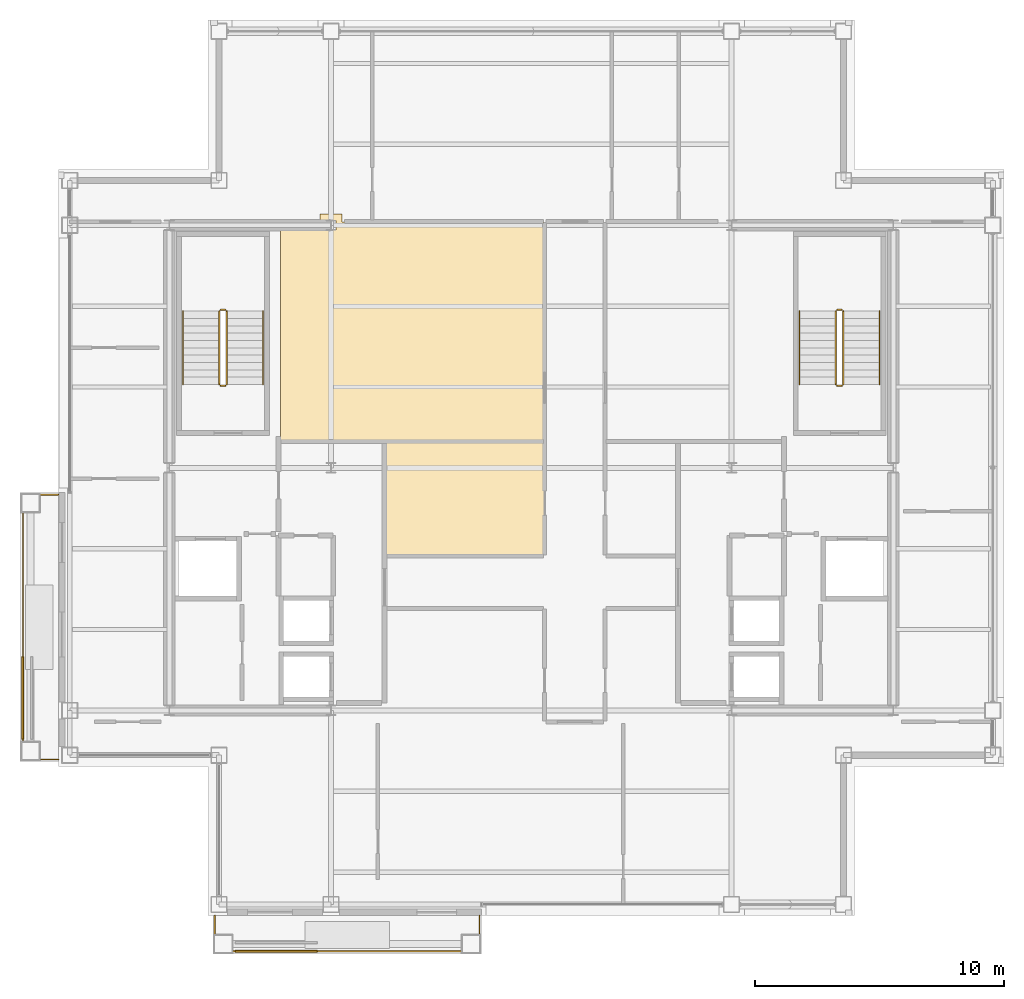
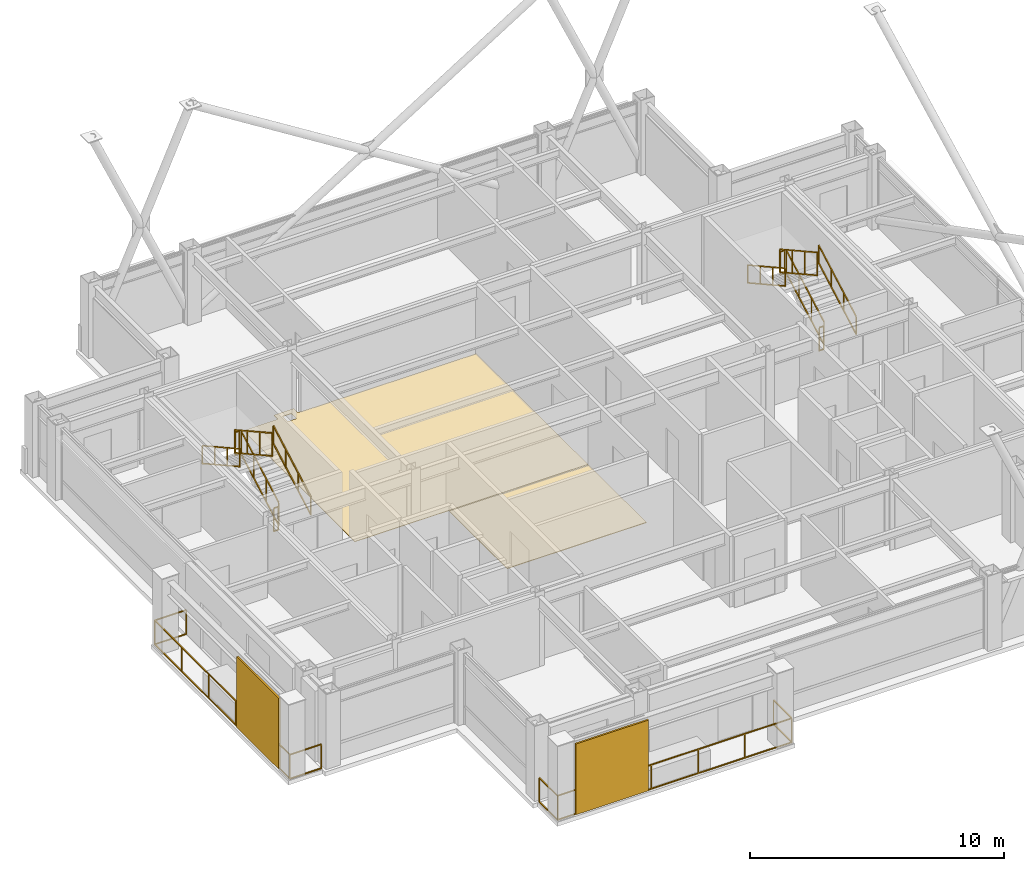
# One storey, part 25 of 26: 14 railings, 2 coverings, 2 shading devices.
"""IFC4 building model written with IfcOpenShell, lengths in metres."""

from ifc_helpers import new_model, si_unit, direction, frame, origin, origin_2d, place, context, subcontext, project, spatial, polyline, rectangle, outline, extrude, material, layer, layer_set, type_object, element, save


model = new_model("IFC4")

# Units and contexts
model_context = context("Model", 3, precision=1e-05, world=origin(), true_north=direction((0.0, 1.0)))
body_context = subcontext(model_context, "Body", "Model", "MODEL_VIEW")
ifc_project = project(units=[si_unit("LENGTHUNIT", "METRE"), si_unit("AREAUNIT", "SQUARE_METRE"), si_unit("VOLUMEUNIT", "CUBIC_METRE"), si_unit("PLANEANGLEUNIT", "RADIAN"), si_unit("MASSUNIT", "GRAM", prefix="KILO")], contexts=[model_context])

# Site, building, storey
site_placement = place(None, origin())
site = spatial("IfcSite", under=ifc_project, at=site_placement, CompositionType="ELEMENT")
building_placement = place(site_placement, origin())
building = spatial("IfcBuilding", under=site, at=building_placement, Name="Brelmoor Portico Tower", CompositionType="ELEMENT")
storey_placement = place(building_placement, frame((0.0, 0.0, 247.199951171875)))
storey = spatial("IfcBuildingStorey", under=building, at=storey_placement, Name="L65", CompositionType="ELEMENT", Elevation=247.199951171875)

# Coverings
ifc_material_1 = material(Name="Polished Pale-Aggregate Cementitious Terrazzo", Category="stone")
ifc_layer_1 = layer(ifc_material_1, 0.030029296875)
ifc_layer_set_1 = layer_set([ifc_layer_1], Name="Polished Pale-Aggregate Cementitious Terrazzo")
covering_type_1 = type_object("IfcCoveringType", Name="CV-FLR-TERRAZZO-30", PredefinedType="FLOORING", material=ifc_layer_set_1)
covering_1_placement = place(storey_placement, origin())
element("IfcCovering", 1, at=covering_1_placement, inside=storey, type_object=covering_type_1, Name="L65 Architectural Floor Finish 02", PredefinedType="FLOORING", context=body_context, shape_type="SweptSolid", body=[
    extrude(outline(polyline([(-5.820068359375, -3.510009765625), (-5.820068359375, 1.0400390625), (0.510009765625, 1.0400390625), (0.510009765625, -3.510009765625), (-5.820068359375, -3.510009765625)])), origin(), (0.0, 0.0, 1.0), 0.030029296875),
])
ifc_material_2 = material(Name="Engineered Quarter-Sawn Oak Parquet Flooring", Category="timber")
ifc_layer_2 = layer(ifc_material_2, 0.02197265625)
ifc_layer_set_2 = layer_set([ifc_layer_2], Name="Engineered Quarter-Sawn Oak Parquet Flooring")
covering_type_2 = type_object("IfcCoveringType", Name="CV-FLR-TIMBER-22", PredefinedType="FLOORING", material=ifc_layer_set_2)
covering_2_placement = place(storey_placement, origin())
element("IfcCovering", 2, at=covering_2_placement, inside=storey, type_object=covering_type_2, Name="L65 Architectural Floor Finish 01", PredefinedType="FLOORING", context=body_context, shape_type="SweptSolid", body=[
    extrude(outline(polyline([(-10.080078125, 9.8798828125), (-8.5, 9.8798828125), (-8.5, 10.199951171875), (-7.60009765625, 10.199951171875), (-7.60009765625, 9.8798828125), (0.510009765625, 9.8798828125), (0.510009765625, 1.090087890625), (-10.080078125, 1.090087890625), (-10.080078125, 9.8798828125)]), holes=[polyline([(-7.85009765625, 9.550048828125), (-7.85009765625, 9.949951171875), (-8.25, 9.949951171875), (-8.25, 9.550048828125), (-7.85009765625, 9.550048828125)])]), origin(), (0.0, 0.0, 1.0), 0.02197265625),
])

# Railings
ifc_material_3 = material(Name="Perforated Pale Champagne Aluminium Fretwork Guard", Category="aluminium")
railing_type_1 = type_object("IfcRailingType", Name="RL-BALUSTRADE-1200", PredefinedType="BALUSTRADE", material=ifc_material_3)
railing_1_placement = place(storey_placement, frame((-12.719970703125, -18.0, 0.0)))
element("IfcRailing", 3, at=railing_1_placement, inside=storey, type_object=railing_type_1, Name="L65 Tree Balcony Fretwork Balustrade S", PredefinedType="BALUSTRADE", context=body_context, shape_type="SweptSolid", body=[
    extrude(rectangle(XDim=0.048095703125, YDim=0.048095703125, at=origin_2d()), frame((0.0, 0.0, 1.17578125), z_axis=(0.0, -1.0, 0.0), x_axis=(1.0, 0.0, 0.0)), (0.0, 0.0, 1.0), 1.429931640625),
    extrude(rectangle(XDim=0.048095703125, YDim=0.048095703125, at=origin_2d()), frame((0.0, 0.0, 0.02392578125), z_axis=(0.0, -1.0, 0.0), x_axis=(1.0, 0.0, 0.0)), (0.0, 0.0, 1.0), 1.429931640625),
    extrude(rectangle(XDim=0.048095703125, YDim=0.048095703125, at=origin_2d()), frame((0.0, -1.429931640625, 1.17578125), z_axis=(1.0, 0.0, 0.0), x_axis=(0.0, 1.0, 0.0)), (0.0, 0.0, 1.0), 10.639892578125),
    extrude(rectangle(XDim=0.048095703125, YDim=0.048095703125, at=origin_2d()), frame((0.0, -1.429931640625, 0.02392578125), z_axis=(1.0, 0.0, 0.0), x_axis=(0.0, 1.0, 0.0)), (0.0, 0.0, 1.0), 10.639892578125),
    extrude(rectangle(XDim=0.048095703125, YDim=0.048095703125, at=origin_2d()), frame((10.639892578125, -1.429931640625, 1.17578125), z_axis=(0.0, 1.0, 0.0), x_axis=(-1.0, 0.0, 0.0)), (0.0, 0.0, 1.0), 1.429931640625),
    extrude(rectangle(XDim=0.048095703125, YDim=0.048095703125, at=origin_2d()), frame((10.639892578125, -1.429931640625, 0.02392578125), z_axis=(0.0, 1.0, 0.0), x_axis=(-1.0, 0.0, 0.0)), (0.0, 0.0, 1.0), 1.429931640625),
    extrude(rectangle(XDim=0.0419921875, YDim=0.0419921875, at=origin_2d()), origin(), (0.0, 0.0, 1.0), 1.15185546875),
    extrude(rectangle(XDim=0.0419921875, YDim=0.0419921875, at=origin_2d()), frame((0.0, -1.429931640625, 0.0)), (0.0, 0.0, 1.0), 1.15185546875),
    extrude(rectangle(XDim=0.0419921875, YDim=0.0419921875, at=origin_2d()), frame((2.1279296875, -1.429931640625, 0.0)), (0.0, 0.0, 1.0), 1.15185546875),
    extrude(rectangle(XDim=0.0419921875, YDim=0.0419921875, at=origin_2d()), frame((4.255859375, -1.429931640625, 0.0)), (0.0, 0.0, 1.0), 1.15185546875),
    extrude(rectangle(XDim=0.0419921875, YDim=0.0419921875, at=origin_2d()), frame((6.384033203125, -1.429931640625, 0.0)), (0.0, 0.0, 1.0), 1.15185546875),
    extrude(rectangle(XDim=0.0419921875, YDim=0.0419921875, at=origin_2d()), frame((8.511962890625, -1.429931640625, 0.0)), (0.0, 0.0, 1.0), 1.15185546875),
    extrude(rectangle(XDim=0.0419921875, YDim=0.0419921875, at=origin_2d()), frame((10.639892578125, -1.429931640625, 0.0)), (0.0, 0.0, 1.0), 1.15185546875),
    extrude(rectangle(XDim=0.0419921875, YDim=0.0419921875, at=origin_2d()), frame((10.639892578125, 0.0, 0.0)), (0.0, 0.0, 1.0), 1.15185546875),
])
railing_2_placement = place(storey_placement, frame((-19.0, -11.719970703125, 0.0)))
element("IfcRailing", 4, at=railing_2_placement, inside=storey, type_object=railing_type_1, Name="L65 Tree Balcony Fretwork Balustrade W", PredefinedType="BALUSTRADE", context=body_context, shape_type="SweptSolid", body=[
    extrude(rectangle(XDim=0.048095703125, YDim=0.048095703125, at=origin_2d()), frame((0.0, 0.0, 1.17578125), z_axis=(-1.0, 0.0, 0.0), x_axis=(0.0, -1.0, 0.0)), (0.0, 0.0, 1.0), 1.429931640625),
    extrude(rectangle(XDim=0.048095703125, YDim=0.048095703125, at=origin_2d()), frame((0.0, 0.0, 0.02392578125), z_axis=(-1.0, 0.0, 0.0), x_axis=(0.0, -1.0, 0.0)), (0.0, 0.0, 1.0), 1.429931640625),
    extrude(rectangle(XDim=0.048095703125, YDim=0.048095703125, at=origin_2d()), frame((-1.429931640625, 0.0, 1.17578125), z_axis=(0.0, 1.0, 0.0), x_axis=(-1.0, 0.0, 0.0)), (0.0, 0.0, 1.0), 10.639892578125),
    extrude(rectangle(XDim=0.048095703125, YDim=0.048095703125, at=origin_2d()), frame((-1.429931640625, 0.0, 0.02392578125), z_axis=(0.0, 1.0, 0.0), x_axis=(-1.0, 0.0, 0.0)), (0.0, 0.0, 1.0), 10.639892578125),
    extrude(rectangle(XDim=0.048095703125, YDim=0.048095703125, at=origin_2d()), frame((-1.429931640625, 10.639892578125, 1.17578125), z_axis=(1.0, 0.0, 0.0), x_axis=(0.0, 1.0, 0.0)), (0.0, 0.0, 1.0), 1.429931640625),
    extrude(rectangle(XDim=0.048095703125, YDim=0.048095703125, at=origin_2d()), frame((-1.429931640625, 10.639892578125, 0.02392578125), z_axis=(1.0, 0.0, 0.0), x_axis=(0.0, 1.0, 0.0)), (0.0, 0.0, 1.0), 1.429931640625),
    extrude(rectangle(XDim=0.0419921875, YDim=0.0419921875, at=origin_2d()), origin(), (0.0, 0.0, 1.0), 1.15185546875),
    extrude(rectangle(XDim=0.0419921875, YDim=0.0419921875, at=origin_2d()), frame((-1.429931640625, 0.0, 0.0)), (0.0, 0.0, 1.0), 1.15185546875),
    extrude(rectangle(XDim=0.0419921875, YDim=0.0419921875, at=origin_2d()), frame((-1.429931640625, 2.1279296875, 0.0)), (0.0, 0.0, 1.0), 1.15185546875),
    extrude(rectangle(XDim=0.0419921875, YDim=0.0419921875, at=origin_2d()), frame((-1.429931640625, 4.255859375, 0.0)), (0.0, 0.0, 1.0), 1.15185546875),
    extrude(rectangle(XDim=0.0419921875, YDim=0.0419921875, at=origin_2d()), frame((-1.429931640625, 6.384033203125, 0.0)), (0.0, 0.0, 1.0), 1.15185546875),
    extrude(rectangle(XDim=0.0419921875, YDim=0.0419921875, at=origin_2d()), frame((-1.429931640625, 8.511962890625, 0.0)), (0.0, 0.0, 1.0), 1.15185546875),
    extrude(rectangle(XDim=0.0419921875, YDim=0.0419921875, at=origin_2d()), frame((-1.429931640625, 10.639892578125, 0.0)), (0.0, 0.0, 1.0), 1.15185546875),
    extrude(rectangle(XDim=0.0419921875, YDim=0.0419921875, at=origin_2d()), frame((0.0, 10.639892578125, 0.0)), (0.0, 0.0, 1.0), 1.15185546875),
])
ifc_material_4 = material(Name="Painted Tubular Steel Q235B", Category="steel")
railing_type_2 = type_object("IfcRailingType", Name="RL-STAIR-GUARD", PredefinedType="GUARDRAIL", material=ifc_material_4)
railing_3_placement = place(storey_placement, frame((-12.239990234375, 3.35009765625, 0.16357421875)))
element("IfcRailing", 5, at=railing_3_placement, inside=storey, type_object=railing_type_2, Name="L65 ST-W stair guard 1", PredefinedType="GUARDRAIL", context=body_context, shape_type="SweptSolid", body=[
    extrude(rectangle(XDim=0.048095703125, YDim=0.048095703125, at=origin_2d()), frame((0.0, 0.0, 1.1259765625), z_axis=(0.0, 0.874457516365, 0.485102104791), x_axis=(-1.0, 0.0, 0.0)), (0.0, 0.0, 1.0), 3.37353515625),
    extrude(rectangle(XDim=0.048095703125, YDim=0.048095703125, at=origin_2d()), frame((0.0, 0.0, 0.02392578125), z_axis=(0.0, 0.874457516365, 0.485102104791), x_axis=(-1.0, 0.0, 0.0)), (0.0, 0.0, 1.0), 3.37353515625),
    extrude(rectangle(XDim=0.0419921875, YDim=0.0419921875, at=origin_2d()), origin(), (0.0, 0.0, 1.0), 1.101806640625),
    extrude(rectangle(XDim=0.0419921875, YDim=0.0419921875, at=origin_2d()), frame((0.0, 0.9833984375, 0.54541015625)), (0.0, 0.0, 1.0), 1.101806640625),
    extrude(rectangle(XDim=0.0419921875, YDim=0.0419921875, at=origin_2d()), frame((0.0, 1.966552734375, 1.091064453125)), (0.0, 0.0, 1.0), 1.101806640625),
    extrude(rectangle(XDim=0.0419921875, YDim=0.0419921875, at=origin_2d()), frame((0.0, 2.949951171875, 1.636474609375)), (0.0, 0.0, 1.0), 1.101806640625),
])
railing_4_placement = place(storey_placement, frame((-12.2900390625, 6.35009765625, 1.800048828125)))
element("IfcRailing", 6, at=railing_4_placement, inside=storey, type_object=railing_type_2, Name="L65 ST-W stair guard 2", PredefinedType="GUARDRAIL", context=body_context, shape_type="SweptSolid", body=[
    extrude(rectangle(XDim=0.048095703125, YDim=0.048095703125, at=origin_2d()), frame((0.0, 0.0, 1.1259765625), z_axis=(-1.0, 0.0, 0.0), x_axis=(0.0, -1.0, 0.0)), (0.0, 0.0, 1.0), 0.199951171875),
    extrude(rectangle(XDim=0.048095703125, YDim=0.048095703125, at=origin_2d()), frame((0.0, 0.0, 0.02392578125), z_axis=(-1.0, 0.0, 0.0), x_axis=(0.0, -1.0, 0.0)), (0.0, 0.0, 1.0), 0.199951171875),
    extrude(rectangle(XDim=0.0419921875, YDim=0.0419921875, at=origin_2d()), origin(), (0.0, 0.0, 1.0), 1.101806640625),
    extrude(rectangle(XDim=0.0419921875, YDim=0.0419921875, at=origin_2d()), frame((-0.199951171875, 0.0, 0.0)), (0.0, 0.0, 1.0), 1.101806640625),
])
railing_5_placement = place(storey_placement, frame((-12.5400390625, 6.300048828125, 1.963623046875)))
element("IfcRailing", 7, at=railing_5_placement, inside=storey, type_object=railing_type_2, Name="L65 ST-W stair guard 3", PredefinedType="GUARDRAIL", context=body_context, shape_type="SweptSolid", body=[
    extrude(rectangle(XDim=0.048095703125, YDim=0.048095703125, at=origin_2d()), frame((0.0, 0.0, 1.1259765625), z_axis=(0.0, -0.874457516365, 0.485102104791), x_axis=(1.0, 0.0, 0.0)), (0.0, 0.0, 1.0), 3.37353515625),
    extrude(rectangle(XDim=0.048095703125, YDim=0.048095703125, at=origin_2d()), frame((0.0, 0.0, 0.02392578125), z_axis=(0.0, -0.874457516365, 0.485102104791), x_axis=(1.0, 0.0, 0.0)), (0.0, 0.0, 1.0), 3.37353515625),
    extrude(rectangle(XDim=0.0419921875, YDim=0.0419921875, at=origin_2d()), origin(), (0.0, 0.0, 1.0), 1.101806640625),
    extrude(rectangle(XDim=0.0419921875, YDim=0.0419921875, at=origin_2d()), frame((0.0, -0.9833984375, 0.54541015625)), (0.0, 0.0, 1.0), 1.101806640625),
    extrude(rectangle(XDim=0.0419921875, YDim=0.0419921875, at=origin_2d()), frame((0.0, -1.966552734375, 1.091064453125)), (0.0, 0.0, 1.0), 1.101806640625),
    extrude(rectangle(XDim=0.0419921875, YDim=0.0419921875, at=origin_2d()), frame((0.0, -2.949951171875, 1.636474609375)), (0.0, 0.0, 1.0), 1.101806640625),
])
railing_6_placement = place(storey_placement, frame((-12.2900390625, 3.300048828125, 0.0)))
element("IfcRailing", 8, at=railing_6_placement, inside=storey, type_object=railing_type_2, Name="L65 ST-W stair guard 4", PredefinedType="GUARDRAIL", context=body_context, shape_type="SweptSolid", body=[
    extrude(rectangle(XDim=0.048095703125, YDim=0.048095703125, at=origin_2d()), frame((0.0, 0.0, 1.1259765625), z_axis=(-1.0, 0.0, 0.0), x_axis=(0.0, -1.0, 0.0)), (0.0, 0.0, 1.0), 0.199951171875),
    extrude(rectangle(XDim=0.048095703125, YDim=0.048095703125, at=origin_2d()), frame((0.0, 0.0, 0.02392578125), z_axis=(-1.0, 0.0, 0.0), x_axis=(0.0, -1.0, 0.0)), (0.0, 0.0, 1.0), 0.199951171875),
    extrude(rectangle(XDim=0.0419921875, YDim=0.0419921875, at=origin_2d()), origin(), (0.0, 0.0, 1.0), 1.101806640625),
    extrude(rectangle(XDim=0.0419921875, YDim=0.0419921875, at=origin_2d()), frame((-0.199951171875, 0.0, 0.0)), (0.0, 0.0, 1.0), 1.101806640625),
])
railing_7_placement = place(storey_placement, frame((12.5400390625, 3.35009765625, 0.16357421875)))
element("IfcRailing", 9, at=railing_7_placement, inside=storey, type_object=railing_type_2, Name="L65 ST-E stair guard 1", PredefinedType="GUARDRAIL", context=body_context, shape_type="SweptSolid", body=[
    extrude(rectangle(XDim=0.048095703125, YDim=0.048095703125, at=origin_2d()), frame((0.0, 0.0, 1.1259765625), z_axis=(0.0, 0.874457516365, 0.485102104791), x_axis=(-1.0, 0.0, 0.0)), (0.0, 0.0, 1.0), 3.37353515625),
    extrude(rectangle(XDim=0.048095703125, YDim=0.048095703125, at=origin_2d()), frame((0.0, 0.0, 0.02392578125), z_axis=(0.0, 0.874457516365, 0.485102104791), x_axis=(-1.0, 0.0, 0.0)), (0.0, 0.0, 1.0), 3.37353515625),
    extrude(rectangle(XDim=0.0419921875, YDim=0.0419921875, at=origin_2d()), origin(), (0.0, 0.0, 1.0), 1.101806640625),
    extrude(rectangle(XDim=0.0419921875, YDim=0.0419921875, at=origin_2d()), frame((0.0, 0.9833984375, 0.54541015625)), (0.0, 0.0, 1.0), 1.101806640625),
    extrude(rectangle(XDim=0.0419921875, YDim=0.0419921875, at=origin_2d()), frame((0.0, 1.966552734375, 1.091064453125)), (0.0, 0.0, 1.0), 1.101806640625),
    extrude(rectangle(XDim=0.0419921875, YDim=0.0419921875, at=origin_2d()), frame((0.0, 2.949951171875, 1.636474609375)), (0.0, 0.0, 1.0), 1.101806640625),
])
railing_8_placement = place(storey_placement, frame((12.489990234375, 6.35009765625, 1.800048828125)))
element("IfcRailing", 10, at=railing_8_placement, inside=storey, type_object=railing_type_2, Name="L65 ST-E stair guard 2", PredefinedType="GUARDRAIL", context=body_context, shape_type="SweptSolid", body=[
    extrude(rectangle(XDim=0.048095703125, YDim=0.048095703125, at=origin_2d()), frame((0.0, 0.0, 1.1259765625), z_axis=(-1.0, 0.0, 0.0), x_axis=(0.0, -1.0, 0.0)), (0.0, 0.0, 1.0), 0.199951171875),
    extrude(rectangle(XDim=0.048095703125, YDim=0.048095703125, at=origin_2d()), frame((0.0, 0.0, 0.02392578125), z_axis=(-1.0, 0.0, 0.0), x_axis=(0.0, -1.0, 0.0)), (0.0, 0.0, 1.0), 0.199951171875),
    extrude(rectangle(XDim=0.0419921875, YDim=0.0419921875, at=origin_2d()), origin(), (0.0, 0.0, 1.0), 1.101806640625),
    extrude(rectangle(XDim=0.0419921875, YDim=0.0419921875, at=origin_2d()), frame((-0.199951171875, 0.0, 0.0)), (0.0, 0.0, 1.0), 1.101806640625),
])
railing_9_placement = place(storey_placement, frame((12.239990234375, 6.300048828125, 1.963623046875)))
element("IfcRailing", 11, at=railing_9_placement, inside=storey, type_object=railing_type_2, Name="L65 ST-E stair guard 3", PredefinedType="GUARDRAIL", context=body_context, shape_type="SweptSolid", body=[
    extrude(rectangle(XDim=0.048095703125, YDim=0.048095703125, at=origin_2d()), frame((0.0, 0.0, 1.1259765625), z_axis=(0.0, -0.874457516365, 0.485102104791), x_axis=(1.0, 0.0, 0.0)), (0.0, 0.0, 1.0), 3.37353515625),
    extrude(rectangle(XDim=0.048095703125, YDim=0.048095703125, at=origin_2d()), frame((0.0, 0.0, 0.02392578125), z_axis=(0.0, -0.874457516365, 0.485102104791), x_axis=(1.0, 0.0, 0.0)), (0.0, 0.0, 1.0), 3.37353515625),
    extrude(rectangle(XDim=0.0419921875, YDim=0.0419921875, at=origin_2d()), origin(), (0.0, 0.0, 1.0), 1.101806640625),
    extrude(rectangle(XDim=0.0419921875, YDim=0.0419921875, at=origin_2d()), frame((0.0, -0.9833984375, 0.54541015625)), (0.0, 0.0, 1.0), 1.101806640625),
    extrude(rectangle(XDim=0.0419921875, YDim=0.0419921875, at=origin_2d()), frame((0.0, -1.966552734375, 1.091064453125)), (0.0, 0.0, 1.0), 1.101806640625),
    extrude(rectangle(XDim=0.0419921875, YDim=0.0419921875, at=origin_2d()), frame((0.0, -2.949951171875, 1.636474609375)), (0.0, 0.0, 1.0), 1.101806640625),
])
railing_10_placement = place(storey_placement, frame((12.489990234375, 3.300048828125, 0.0)))
element("IfcRailing", 12, at=railing_10_placement, inside=storey, type_object=railing_type_2, Name="L65 ST-E stair guard 4", PredefinedType="GUARDRAIL", context=body_context, shape_type="SweptSolid", body=[
    extrude(rectangle(XDim=0.048095703125, YDim=0.048095703125, at=origin_2d()), frame((0.0, 0.0, 1.1259765625), z_axis=(-1.0, 0.0, 0.0), x_axis=(0.0, -1.0, 0.0)), (0.0, 0.0, 1.0), 0.199951171875),
    extrude(rectangle(XDim=0.048095703125, YDim=0.048095703125, at=origin_2d()), frame((0.0, 0.0, 0.02392578125), z_axis=(-1.0, 0.0, 0.0), x_axis=(0.0, -1.0, 0.0)), (0.0, 0.0, 1.0), 0.199951171875),
    extrude(rectangle(XDim=0.0419921875, YDim=0.0419921875, at=origin_2d()), origin(), (0.0, 0.0, 1.0), 1.101806640625),
    extrude(rectangle(XDim=0.0419921875, YDim=0.0419921875, at=origin_2d()), frame((-0.199951171875, 0.0, 0.0)), (0.0, 0.0, 1.0), 1.101806640625),
])
ifc_material_5 = material(Name="Brushed Stainless Steel 304", Category="steel")
railing_type_3 = type_object("IfcRailingType", Name="RL-STAIR-HANDRAIL", PredefinedType="HANDRAIL", material=ifc_material_5)
railing_11_placement = place(storey_placement, frame((-10.780029296875, 3.35009765625, 0.16357421875)))
element("IfcRailing", 13, at=railing_11_placement, inside=storey, type_object=railing_type_3, Name="L65 ST-W stair handrail 1", PredefinedType="HANDRAIL", context=body_context, shape_type="SweptSolid", body=[
    extrude(rectangle(XDim=0.048095703125, YDim=0.048095703125, at=origin_2d()), frame((0.0, 0.0, 0.8759765625), z_axis=(0.0, 0.874457516365, 0.485102104791), x_axis=(-1.0, 0.0, 0.0)), (0.0, 0.0, 1.0), 3.37353515625),
    extrude(rectangle(XDim=0.048095703125, YDim=0.048095703125, at=origin_2d()), frame((0.0, 0.0, 0.02392578125), z_axis=(0.0, 0.874457516365, 0.485102104791), x_axis=(-1.0, 0.0, 0.0)), (0.0, 0.0, 1.0), 3.37353515625),
    extrude(rectangle(XDim=0.0419921875, YDim=0.0419921875, at=origin_2d()), origin(), (0.0, 0.0, 1.0), 0.851806640625),
    extrude(rectangle(XDim=0.0419921875, YDim=0.0419921875, at=origin_2d()), frame((0.0, 0.9833984375, 0.54541015625)), (0.0, 0.0, 1.0), 0.851806640625),
    extrude(rectangle(XDim=0.0419921875, YDim=0.0419921875, at=origin_2d()), frame((0.0, 1.966552734375, 1.091064453125)), (0.0, 0.0, 1.0), 0.851806640625),
    extrude(rectangle(XDim=0.0419921875, YDim=0.0419921875, at=origin_2d()), frame((0.0, 2.949951171875, 1.636474609375)), (0.0, 0.0, 1.0), 0.851806640625),
])
railing_12_placement = place(storey_placement, frame((-14.0, 6.300048828125, 1.963623046875)))
element("IfcRailing", 14, at=railing_12_placement, inside=storey, type_object=railing_type_3, Name="L65 ST-W stair handrail 2", PredefinedType="HANDRAIL", context=body_context, shape_type="SweptSolid", body=[
    extrude(rectangle(XDim=0.048095703125, YDim=0.048095703125, at=origin_2d()), frame((0.0, 0.0, 0.8759765625), z_axis=(0.0, -0.874457516365, 0.485102104791), x_axis=(1.0, 0.0, 0.0)), (0.0, 0.0, 1.0), 3.37353515625),
    extrude(rectangle(XDim=0.048095703125, YDim=0.048095703125, at=origin_2d()), frame((0.0, 0.0, 0.02392578125), z_axis=(0.0, -0.874457516365, 0.485102104791), x_axis=(1.0, 0.0, 0.0)), (0.0, 0.0, 1.0), 3.37353515625),
    extrude(rectangle(XDim=0.0419921875, YDim=0.0419921875, at=origin_2d()), origin(), (0.0, 0.0, 1.0), 0.851806640625),
    extrude(rectangle(XDim=0.0419921875, YDim=0.0419921875, at=origin_2d()), frame((0.0, -0.9833984375, 0.54541015625)), (0.0, 0.0, 1.0), 0.851806640625),
    extrude(rectangle(XDim=0.0419921875, YDim=0.0419921875, at=origin_2d()), frame((0.0, -1.966552734375, 1.091064453125)), (0.0, 0.0, 1.0), 0.851806640625),
    extrude(rectangle(XDim=0.0419921875, YDim=0.0419921875, at=origin_2d()), frame((0.0, -2.949951171875, 1.636474609375)), (0.0, 0.0, 1.0), 0.851806640625),
])
railing_13_placement = place(storey_placement, frame((14.0, 3.35009765625, 0.16357421875)))
element("IfcRailing", 15, at=railing_13_placement, inside=storey, type_object=railing_type_3, Name="L65 ST-E stair handrail 1", PredefinedType="HANDRAIL", context=body_context, shape_type="SweptSolid", body=[
    extrude(rectangle(XDim=0.048095703125, YDim=0.048095703125, at=origin_2d()), frame((0.0, 0.0, 0.8759765625), z_axis=(0.0, 0.874457516365, 0.485102104791), x_axis=(-1.0, 0.0, 0.0)), (0.0, 0.0, 1.0), 3.37353515625),
    extrude(rectangle(XDim=0.048095703125, YDim=0.048095703125, at=origin_2d()), frame((0.0, 0.0, 0.02392578125), z_axis=(0.0, 0.874457516365, 0.485102104791), x_axis=(-1.0, 0.0, 0.0)), (0.0, 0.0, 1.0), 3.37353515625),
    extrude(rectangle(XDim=0.0419921875, YDim=0.0419921875, at=origin_2d()), origin(), (0.0, 0.0, 1.0), 0.851806640625),
    extrude(rectangle(XDim=0.0419921875, YDim=0.0419921875, at=origin_2d()), frame((0.0, 0.9833984375, 0.54541015625)), (0.0, 0.0, 1.0), 0.851806640625),
    extrude(rectangle(XDim=0.0419921875, YDim=0.0419921875, at=origin_2d()), frame((0.0, 1.966552734375, 1.091064453125)), (0.0, 0.0, 1.0), 0.851806640625),
    extrude(rectangle(XDim=0.0419921875, YDim=0.0419921875, at=origin_2d()), frame((0.0, 2.949951171875, 1.636474609375)), (0.0, 0.0, 1.0), 0.851806640625),
])
railing_14_placement = place(storey_placement, frame((10.780029296875, 6.300048828125, 1.963623046875)))
element("IfcRailing", 16, at=railing_14_placement, inside=storey, type_object=railing_type_3, Name="L65 ST-E stair handrail 2", PredefinedType="HANDRAIL", context=body_context, shape_type="SweptSolid", body=[
    extrude(rectangle(XDim=0.048095703125, YDim=0.048095703125, at=origin_2d()), frame((0.0, 0.0, 0.8759765625), z_axis=(0.0, -0.874457516365, 0.485102104791), x_axis=(1.0, 0.0, 0.0)), (0.0, 0.0, 1.0), 3.37353515625),
    extrude(rectangle(XDim=0.048095703125, YDim=0.048095703125, at=origin_2d()), frame((0.0, 0.0, 0.02392578125), z_axis=(0.0, -0.874457516365, 0.485102104791), x_axis=(1.0, 0.0, 0.0)), (0.0, 0.0, 1.0), 3.37353515625),
    extrude(rectangle(XDim=0.0419921875, YDim=0.0419921875, at=origin_2d()), origin(), (0.0, 0.0, 1.0), 0.851806640625),
    extrude(rectangle(XDim=0.0419921875, YDim=0.0419921875, at=origin_2d()), frame((0.0, -0.9833984375, 0.54541015625)), (0.0, 0.0, 1.0), 0.851806640625),
    extrude(rectangle(XDim=0.0419921875, YDim=0.0419921875, at=origin_2d()), frame((0.0, -1.966552734375, 1.091064453125)), (0.0, 0.0, 1.0), 0.851806640625),
    extrude(rectangle(XDim=0.0419921875, YDim=0.0419921875, at=origin_2d()), frame((0.0, -2.949951171875, 1.636474609375)), (0.0, 0.0, 1.0), 0.851806640625),
])

# Shading devices
ifc_material_6 = material(Name="Powder-Coated Aluminium Shuttered Jalousie", Category="aluminium")
ifc_layer_3 = layer(ifc_material_6, 0.080078125)
ifc_layer_set_3 = layer_set([ifc_layer_3], Name="Powder-Coated Aluminium Shuttered Jalousie")
shading_device_type = type_object("IfcShadingDeviceType", Name="SD-JALOUSIE-LOGGIA", PredefinedType="JALOUSIE", material=ifc_layer_set_3)
for number, where, z_axis, x_axis, name in (
    (17, (-10.25, -19.429931640625, 0.0), (0.0, 0.0, 1.0), (1.0, 0.0, 0.0), "L65 Loggia Shuttered Jalousie S"),
    (18, (-20.429931640625, -9.25, 0.0), (0.0, 0.0, 1.0), (0.0, 1.0, 0.0), "L65 Loggia Shuttered Jalousie W"),
):
    element("IfcShadingDevice", number, at=place(storey_placement, frame(where, z_axis=z_axis, x_axis=x_axis)), inside=storey, type_object=shading_device_type, Name=name, PredefinedType="JALOUSIE", context=body_context, shape_type="SweptSolid", body=[
        extrude(rectangle(XDim=3.300048828125, YDim=0.080078125, at=origin_2d()), origin(), (0.0, 0.0, 1.0), 3.39990234375),
    ])

save(model, "model.ifc")
